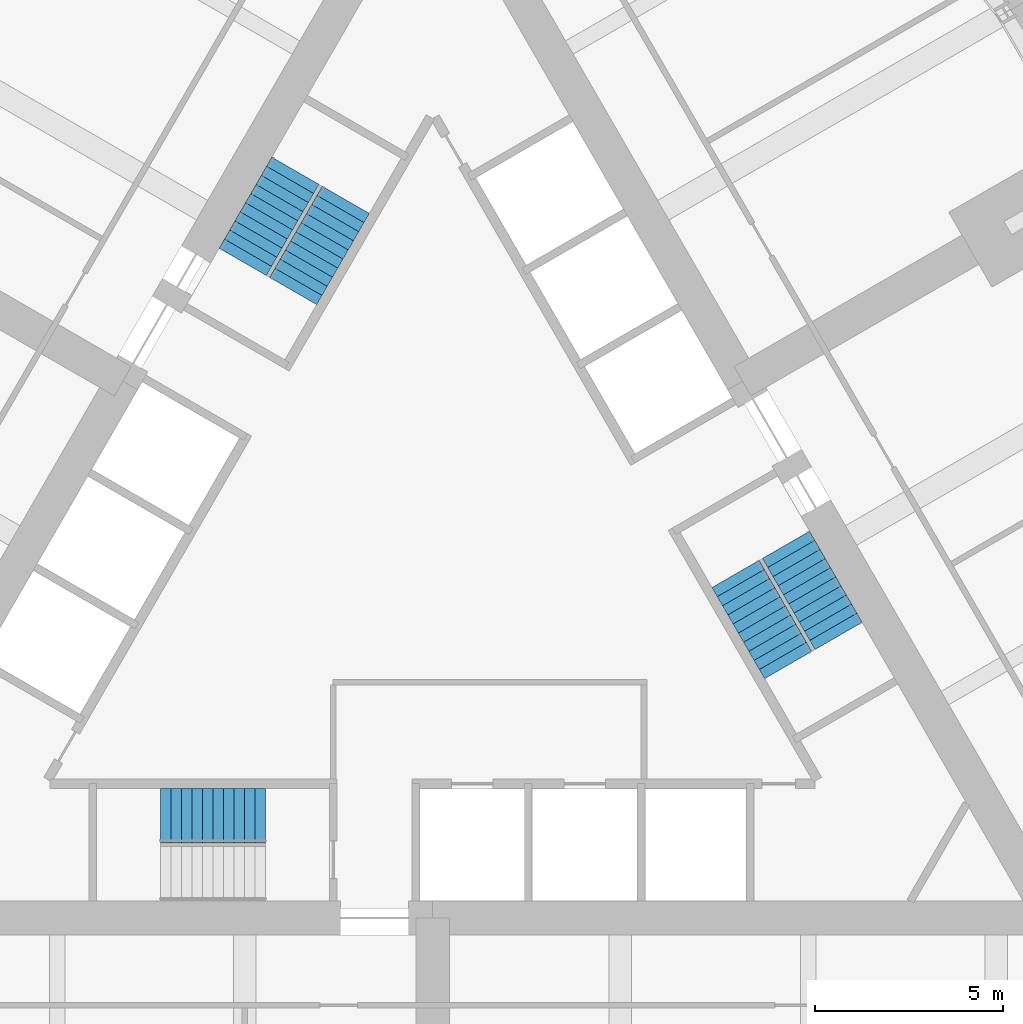
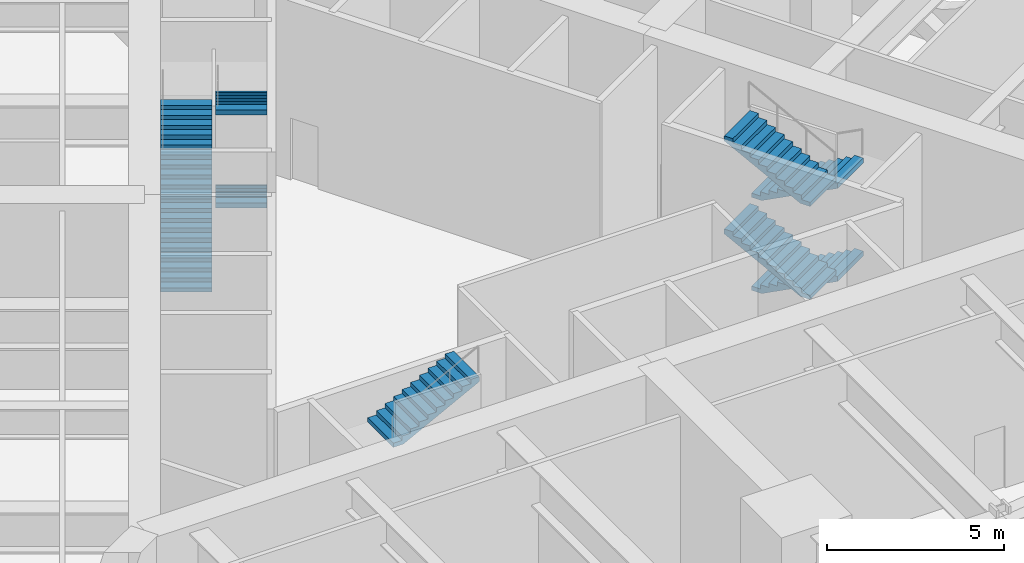
# One storey, part 6 of 7: 9 stair flights, 3 elements without a shape of their own.
"""IFC4 building model written with IfcOpenShell, lengths in metres."""

from ifc_helpers import new_model, si_unit, direction, frame, origin, place, context, subcontext, project, spatial, polyline, outline, extrude, material, type_object, element, aggregate, save


model = new_model("IFC4")

# Units and contexts
model_context = context("Model", 3, precision=1e-05, world=origin(), true_north=direction((0.0, 1.0)))
body_context = subcontext(model_context, "Body", "Model", "MODEL_VIEW")
ifc_project = project(units=[si_unit("LENGTHUNIT", "METRE"), si_unit("AREAUNIT", "SQUARE_METRE"), si_unit("VOLUMEUNIT", "CUBIC_METRE"), si_unit("PLANEANGLEUNIT", "RADIAN"), si_unit("MASSUNIT", "GRAM", prefix="KILO")], contexts=[model_context])

# Site, building, storey
site_placement = place(None, origin())
site = spatial("IfcSite", under=ifc_project, at=site_placement, CompositionType="ELEMENT")
building_placement = place(site_placement, origin())
building = spatial("IfcBuilding", under=site, at=building_placement, Name="Trikona Tower", CompositionType="ELEMENT")
storey_placement = place(building_placement, frame((0.0, 0.0, 189.5)))
storey = spatial("IfcBuildingStorey", under=building, at=storey_placement, Name="L51", CompositionType="ELEMENT", Elevation=189.5)

# Stair, stair flight
ifc_material_1 = material(Name="Concrete f'c 5000 psi", Category="concrete")
stair_type = type_object("IfcStairType", Name="Core stair", PredefinedType="HALF_TURN_STAIR", material=ifc_material_1)
stair_1_placement = place(storey_placement, origin())
stair_1 = element("IfcStair", 1, at=stair_1_placement, inside=storey, type_object=stair_type, Name="Stair A L51", PredefinedType="HALF_TURN_STAIR")
ifc_material_2 = material(Name="Concrete f'c 5000 psi", Category="concrete")
stair_flight_type = type_object("IfcStairFlightType", Name="Core stair flight 1450", PredefinedType="STRAIGHT", material=ifc_material_2)
stair_flight_1_placement = place(storey_placement, frame((-7.25, -6.80126953125, 4.800048828125), z_axis=(0.0, 0.0, 1.0), x_axis=(1.0, 0.0, 0.0)))
stair_flight_1 = element("IfcStairFlight", 2, at=stair_flight_1_placement, type_object=stair_flight_type, Name="ST-A flight 4", NumberOfRisers=11, NumberOfTreads=10, PredefinedType="STRAIGHT", RiserHeight=0.145455, TreadLength=0.28, context=body_context, shape_type="SweptSolid", body=[
    extrude(outline(polyline([(0.0, 0.0), (0.0, 0.1455078125), (0.280029296875, 0.1455078125), (0.280029296875, 0.291015625), (0.56005859375, 0.291015625), (0.56005859375, 0.436279296875), (0.840087890625, 0.436279296875), (0.840087890625, 0.581787109375), (1.1201171875, 0.581787109375), (1.1201171875, 0.727294921875), (1.39990234375, 0.727294921875), (1.39990234375, 0.872802734375), (1.679931640625, 0.872802734375), (1.679931640625, 1.01806640625), (1.9599609375, 1.01806640625), (1.9599609375, 1.16357421875), (2.239990234375, 1.16357421875), (2.239990234375, 1.30908203125), (2.52001953125, 1.30908203125), (2.52001953125, 1.45458984375), (2.800048828125, 1.45458984375), (2.800048828125, 1.60009765625), (2.800048828125, 1.28564453125), (0.3251953125, 0.0), (0.0, 0.0)])), frame((0.0, 0.72509765625, 0.0), z_axis=(0.0, -1.0, 0.0), x_axis=(1.0, 0.0, 0.0)), (0.0, 0.0, 1.0), 1.449951171875),
])
aggregate(stair_1, [stair_flight_1])

# Stair, stair flights
stair_2_placement = place(storey_placement, origin())
stair_2 = element("IfcStair", 3, at=stair_2_placement, inside=storey, type_object=stair_type, Name="Stair B L51", PredefinedType="HALF_TURN_STAIR")
stair_flight_2_placement = place(storey_placement, frame((9.407470703125, 0.408447265625, 0.0), z_axis=(0.0, 0.0, 1.0), x_axis=(0.5, -0.866025403784, 0.0)))
stair_flight_2 = element("IfcStairFlight", 4, at=stair_flight_2_placement, type_object=stair_flight_type, Name="ST-B flight 1", NumberOfRisers=11, NumberOfTreads=10, PredefinedType="STRAIGHT", RiserHeight=0.145455, TreadLength=0.28, context=body_context, shape_type="SweptSolid", body=[
    extrude(outline(polyline([(0.0, 0.0), (0.0, 0.1455078125), (0.280029296875, 0.1455078125), (0.280029296875, 0.291015625), (0.56005859375, 0.291015625), (0.56005859375, 0.436279296875), (0.840087890625, 0.436279296875), (0.840087890625, 0.581787109375), (1.1201171875, 0.581787109375), (1.1201171875, 0.727294921875), (1.39990234375, 0.727294921875), (1.39990234375, 0.872802734375), (1.679931640625, 0.872802734375), (1.679931640625, 1.01806640625), (1.9599609375, 1.01806640625), (1.9599609375, 1.16357421875), (2.239990234375, 1.16357421875), (2.239990234375, 1.30908203125), (2.52001953125, 1.30908203125), (2.52001953125, 1.45458984375), (2.800048828125, 1.45458984375), (2.800048828125, 1.60009765625), (2.800048828125, 1.28564453125), (0.3251953125, 0.0), (0.0, 0.0)])), frame((0.0, 0.72509765625, 0.0), z_axis=(0.0, -1.0, 0.0), x_axis=(1.0, 0.0, 0.0)), (0.0, 0.0, 1.0), 1.449951171875),
])
stair_flight_3_placement = place(storey_placement, frame((9.465087890625, -2.79150390625, 1.60009765625), z_axis=(0.0, 0.0, 1.0), x_axis=(-0.5, 0.866025403784, 0.0)))
stair_flight_3 = element("IfcStairFlight", 5, at=stair_flight_3_placement, type_object=stair_flight_type, Name="ST-B flight 2", NumberOfRisers=11, NumberOfTreads=10, PredefinedType="STRAIGHT", RiserHeight=0.145455, TreadLength=0.28, context=body_context, shape_type="SweptSolid", body=[
    extrude(outline(polyline([(0.0, 0.0), (0.0, 0.1455078125), (0.280029296875, 0.1455078125), (0.280029296875, 0.291015625), (0.56005859375, 0.291015625), (0.56005859375, 0.436279296875), (0.840087890625, 0.436279296875), (0.840087890625, 0.581787109375), (1.1201171875, 0.581787109375), (1.1201171875, 0.727294921875), (1.39990234375, 0.727294921875), (1.39990234375, 0.872802734375), (1.679931640625, 0.872802734375), (1.679931640625, 1.01806640625), (1.9599609375, 1.01806640625), (1.9599609375, 1.16357421875), (2.239990234375, 1.16357421875), (2.239990234375, 1.30908203125), (2.52001953125, 1.30908203125), (2.52001953125, 1.45458984375), (2.800048828125, 1.45458984375), (2.800048828125, 1.60009765625), (2.800048828125, 1.28564453125), (0.3251953125, 0.0), (0.0, 0.0)])), frame((0.0, 0.72509765625, 0.0), z_axis=(0.0, -1.0, 0.0), x_axis=(1.0, 0.0, 0.0)), (0.0, 0.0, 1.0), 1.449951171875),
])
stair_flight_4_placement = place(storey_placement, frame((9.407470703125, 0.408447265625, 3.199951171875), z_axis=(0.0, 0.0, 1.0), x_axis=(0.5, -0.866025403784, 0.0)))
stair_flight_4 = element("IfcStairFlight", 6, at=stair_flight_4_placement, type_object=stair_flight_type, Name="ST-B flight 3", NumberOfRisers=11, NumberOfTreads=10, PredefinedType="STRAIGHT", RiserHeight=0.145455, TreadLength=0.28, context=body_context, shape_type="SweptSolid", body=[
    extrude(outline(polyline([(0.0, 0.0), (0.0, 0.1455078125), (0.280029296875, 0.1455078125), (0.280029296875, 0.291015625), (0.56005859375, 0.291015625), (0.56005859375, 0.436279296875), (0.840087890625, 0.436279296875), (0.840087890625, 0.581787109375), (1.1201171875, 0.581787109375), (1.1201171875, 0.727294921875), (1.39990234375, 0.727294921875), (1.39990234375, 0.872802734375), (1.679931640625, 0.872802734375), (1.679931640625, 1.01806640625), (1.9599609375, 1.01806640625), (1.9599609375, 1.16357421875), (2.239990234375, 1.16357421875), (2.239990234375, 1.30908203125), (2.52001953125, 1.30908203125), (2.52001953125, 1.45458984375), (2.800048828125, 1.45458984375), (2.800048828125, 1.60009765625), (2.800048828125, 1.28564453125), (0.3251953125, 0.0), (0.0, 0.0)])), frame((0.0, 0.72509765625, 0.0), z_axis=(0.0, -1.0, 0.0), x_axis=(1.0, 0.0, 0.0)), (0.0, 0.0, 1.0), 1.449951171875),
])
stair_flight_5_placement = place(storey_placement, frame((9.465087890625, -2.79150390625, 4.800048828125), z_axis=(0.0, 0.0, 1.0), x_axis=(-0.5, 0.866025403784, 0.0)))
stair_flight_5 = element("IfcStairFlight", 7, at=stair_flight_5_placement, type_object=stair_flight_type, Name="ST-B flight 4", NumberOfRisers=11, NumberOfTreads=10, PredefinedType="STRAIGHT", RiserHeight=0.145455, TreadLength=0.28, context=body_context, shape_type="SweptSolid", body=[
    extrude(outline(polyline([(0.0, 0.0), (0.0, 0.1455078125), (0.280029296875, 0.1455078125), (0.280029296875, 0.291015625), (0.56005859375, 0.291015625), (0.56005859375, 0.436279296875), (0.840087890625, 0.436279296875), (0.840087890625, 0.581787109375), (1.1201171875, 0.581787109375), (1.1201171875, 0.727294921875), (1.39990234375, 0.727294921875), (1.39990234375, 0.872802734375), (1.679931640625, 0.872802734375), (1.679931640625, 1.01806640625), (1.9599609375, 1.01806640625), (1.9599609375, 1.16357421875), (2.239990234375, 1.16357421875), (2.239990234375, 1.30908203125), (2.52001953125, 1.30908203125), (2.52001953125, 1.45458984375), (2.800048828125, 1.45458984375), (2.800048828125, 1.60009765625), (2.800048828125, 1.28564453125), (0.3251953125, 0.0), (0.0, 0.0)])), frame((0.0, 0.72509765625, 0.0), z_axis=(0.0, -1.0, 0.0), x_axis=(1.0, 0.0, 0.0)), (0.0, 0.0, 1.0), 1.449951171875),
])
aggregate(stair_2, [stair_flight_2, stair_flight_3, stair_flight_4, stair_flight_5])

stair_3_placement = place(storey_placement, origin())
stair_3 = element("IfcStair", 8, at=stair_3_placement, inside=storey, type_object=stair_type, Name="Stair C L51", PredefinedType="HALF_TURN_STAIR")
stair_flight_6_placement = place(storey_placement, frame((-5.057373046875, 7.94287109375, 0.0), z_axis=(0.0, 0.0, 1.0), x_axis=(0.5, 0.866025403784, 0.0)))
stair_flight_6 = element("IfcStairFlight", 9, at=stair_flight_6_placement, type_object=stair_flight_type, Name="ST-C flight 1", NumberOfRisers=11, NumberOfTreads=10, PredefinedType="STRAIGHT", RiserHeight=0.145455, TreadLength=0.28, context=body_context, shape_type="SweptSolid", body=[
    extrude(outline(polyline([(0.0, 0.0), (0.0, 0.1455078125), (0.280029296875, 0.1455078125), (0.280029296875, 0.291015625), (0.56005859375, 0.291015625), (0.56005859375, 0.436279296875), (0.840087890625, 0.436279296875), (0.840087890625, 0.581787109375), (1.1201171875, 0.581787109375), (1.1201171875, 0.727294921875), (1.39990234375, 0.727294921875), (1.39990234375, 0.872802734375), (1.679931640625, 0.872802734375), (1.679931640625, 1.01806640625), (1.9599609375, 1.01806640625), (1.9599609375, 1.16357421875), (2.239990234375, 1.16357421875), (2.239990234375, 1.30908203125), (2.52001953125, 1.30908203125), (2.52001953125, 1.45458984375), (2.800048828125, 1.45458984375), (2.800048828125, 1.60009765625), (2.800048828125, 1.28564453125), (0.3251953125, 0.0), (0.0, 0.0)])), frame((0.0, 0.72509765625, 0.0), z_axis=(0.0, -1.0, 0.0), x_axis=(1.0, 0.0, 0.0)), (0.0, 0.0, 1.0), 1.449951171875),
])
stair_flight_7_placement = place(storey_placement, frame((-2.315185546875, 9.5927734375, 1.60009765625), z_axis=(0.0, 0.0, 1.0), x_axis=(-0.5, -0.866025403784, 0.0)))
stair_flight_7 = element("IfcStairFlight", 10, at=stair_flight_7_placement, type_object=stair_flight_type, Name="ST-C flight 2", NumberOfRisers=11, NumberOfTreads=10, PredefinedType="STRAIGHT", RiserHeight=0.145455, TreadLength=0.28, context=body_context, shape_type="SweptSolid", body=[
    extrude(outline(polyline([(0.0, 0.0), (0.0, 0.1455078125), (0.280029296875, 0.1455078125), (0.280029296875, 0.291015625), (0.56005859375, 0.291015625), (0.56005859375, 0.436279296875), (0.840087890625, 0.436279296875), (0.840087890625, 0.581787109375), (1.1201171875, 0.581787109375), (1.1201171875, 0.727294921875), (1.39990234375, 0.727294921875), (1.39990234375, 0.872802734375), (1.679931640625, 0.872802734375), (1.679931640625, 1.01806640625), (1.9599609375, 1.01806640625), (1.9599609375, 1.16357421875), (2.239990234375, 1.16357421875), (2.239990234375, 1.30908203125), (2.52001953125, 1.30908203125), (2.52001953125, 1.45458984375), (2.800048828125, 1.45458984375), (2.800048828125, 1.60009765625), (2.800048828125, 1.28564453125), (0.3251953125, 0.0), (0.0, 0.0)])), frame((0.0, 0.72509765625, 0.0), z_axis=(0.0, -1.0, 0.0), x_axis=(1.0, 0.0, 0.0)), (0.0, 0.0, 1.0), 1.449951171875),
])
stair_flight_8_placement = place(storey_placement, frame((-5.057373046875, 7.94287109375, 3.199951171875), z_axis=(0.0, 0.0, 1.0), x_axis=(0.5, 0.866025403784, 0.0)))
stair_flight_8 = element("IfcStairFlight", 11, at=stair_flight_8_placement, type_object=stair_flight_type, Name="ST-C flight 3", NumberOfRisers=11, NumberOfTreads=10, PredefinedType="STRAIGHT", RiserHeight=0.145455, TreadLength=0.28, context=body_context, shape_type="SweptSolid", body=[
    extrude(outline(polyline([(0.0, 0.0), (0.0, 0.1455078125), (0.280029296875, 0.1455078125), (0.280029296875, 0.291015625), (0.56005859375, 0.291015625), (0.56005859375, 0.436279296875), (0.840087890625, 0.436279296875), (0.840087890625, 0.581787109375), (1.1201171875, 0.581787109375), (1.1201171875, 0.727294921875), (1.39990234375, 0.727294921875), (1.39990234375, 0.872802734375), (1.679931640625, 0.872802734375), (1.679931640625, 1.01806640625), (1.9599609375, 1.01806640625), (1.9599609375, 1.16357421875), (2.239990234375, 1.16357421875), (2.239990234375, 1.30908203125), (2.52001953125, 1.30908203125), (2.52001953125, 1.45458984375), (2.800048828125, 1.45458984375), (2.800048828125, 1.60009765625), (2.800048828125, 1.28564453125), (0.3251953125, 0.0), (0.0, 0.0)])), frame((0.0, 0.72509765625, 0.0), z_axis=(0.0, -1.0, 0.0), x_axis=(1.0, 0.0, 0.0)), (0.0, 0.0, 1.0), 1.449951171875),
])
stair_flight_9_placement = place(storey_placement, frame((-2.315185546875, 9.5927734375, 4.800048828125), z_axis=(0.0, 0.0, 1.0), x_axis=(-0.5, -0.866025403784, 0.0)))
stair_flight_9 = element("IfcStairFlight", 12, at=stair_flight_9_placement, type_object=stair_flight_type, Name="ST-C flight 4", NumberOfRisers=11, NumberOfTreads=10, PredefinedType="STRAIGHT", RiserHeight=0.145455, TreadLength=0.28, context=body_context, shape_type="SweptSolid", body=[
    extrude(outline(polyline([(0.0, 0.0), (0.0, 0.1455078125), (0.280029296875, 0.1455078125), (0.280029296875, 0.291015625), (0.56005859375, 0.291015625), (0.56005859375, 0.436279296875), (0.840087890625, 0.436279296875), (0.840087890625, 0.581787109375), (1.1201171875, 0.581787109375), (1.1201171875, 0.727294921875), (1.39990234375, 0.727294921875), (1.39990234375, 0.872802734375), (1.679931640625, 0.872802734375), (1.679931640625, 1.01806640625), (1.9599609375, 1.01806640625), (1.9599609375, 1.16357421875), (2.239990234375, 1.16357421875), (2.239990234375, 1.30908203125), (2.52001953125, 1.30908203125), (2.52001953125, 1.45458984375), (2.800048828125, 1.45458984375), (2.800048828125, 1.60009765625), (2.800048828125, 1.28564453125), (0.3251953125, 0.0), (0.0, 0.0)])), frame((0.0, 0.72509765625, 0.0), z_axis=(0.0, -1.0, 0.0), x_axis=(1.0, 0.0, 0.0)), (0.0, 0.0, 1.0), 1.449951171875),
])
aggregate(stair_3, [stair_flight_6, stair_flight_7, stair_flight_8, stair_flight_9])

save(model, "model.ifc")
